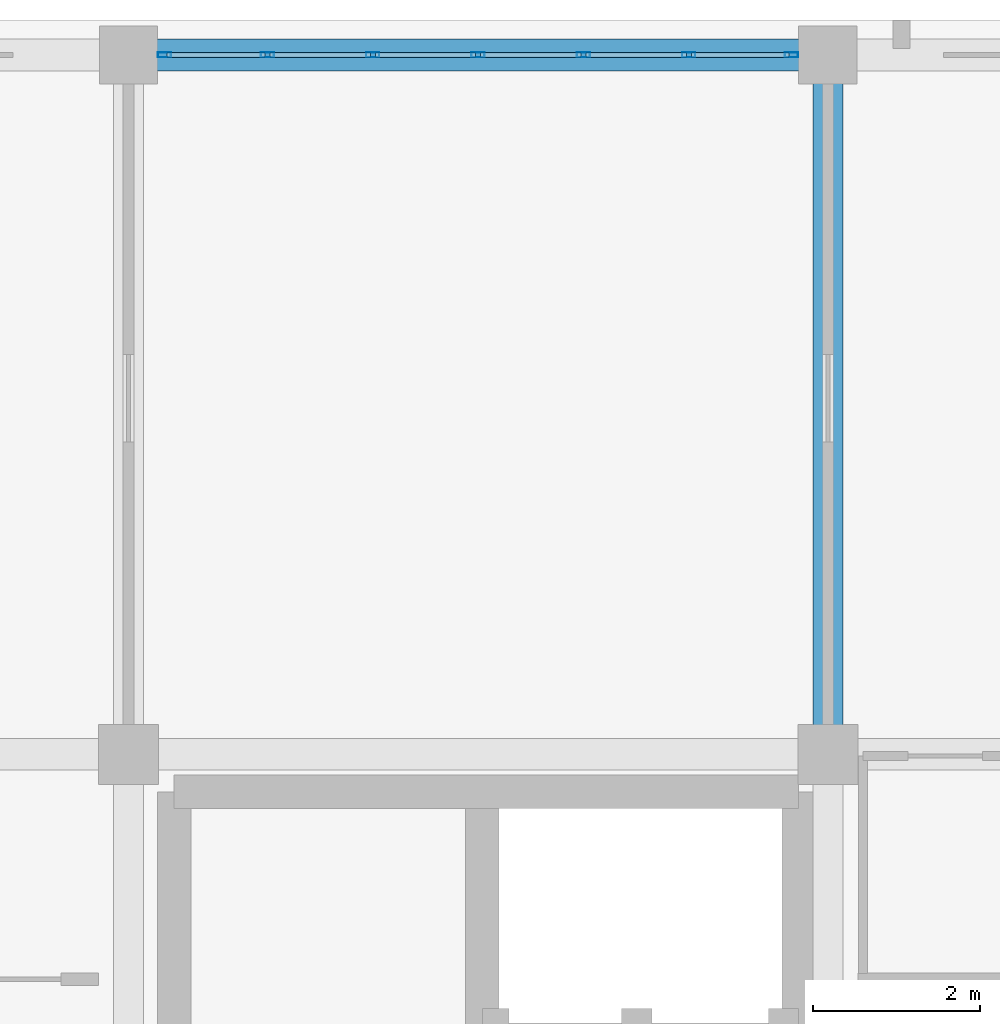
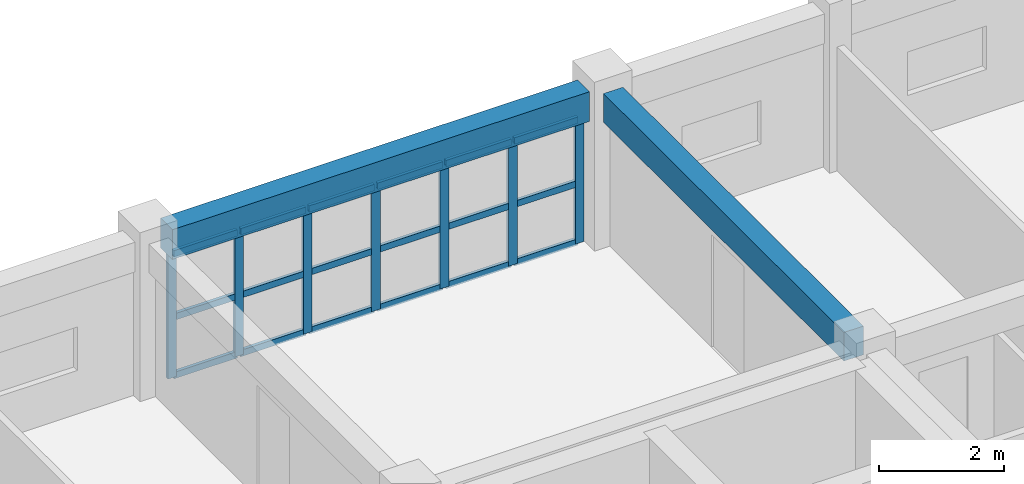
# One storey, part 59 of 148: 25 members, 2 beams, 1 element without a shape of its own.
"""IFC4 building model written with IfcOpenShell, lengths in metres."""

from ifc_helpers import new_model, si_unit, direction, frame, origin, origin_2d, place, context, subcontext, project, spatial, rectangle, hollow_rectangle, extrude, material, layer, layer_set, material_profile, profile_set, type_object, element, aggregate, save


model = new_model("IFC4")

# Units and contexts
model_context = context("Model", 3, precision=1e-05, world=origin(), true_north=direction((0.0, 1.0)))
body_context = subcontext(model_context, "Body", "Model", "MODEL_VIEW")
ifc_project = project(units=[si_unit("LENGTHUNIT", "METRE"), si_unit("AREAUNIT", "SQUARE_METRE"), si_unit("VOLUMEUNIT", "CUBIC_METRE"), si_unit("PLANEANGLEUNIT", "RADIAN"), si_unit("MASSUNIT", "GRAM", prefix="KILO")], contexts=[model_context])

# Site, building, storey
site_placement = place(None, origin())
site = spatial("IfcSite", under=ifc_project, at=site_placement, CompositionType="ELEMENT")
building_placement = place(site_placement, origin())
building = spatial("IfcBuilding", under=site, at=building_placement, Name="Trelvath General Hospital", CompositionType="ELEMENT")
storey_placement = place(building_placement, frame((0.0, 0.0, 12.89990234375)))
storey = spatial("IfcBuildingStorey", under=building, at=storey_placement, Name="L03", CompositionType="ELEMENT", Elevation=12.89990234375)

# Beams
ifc_material_1 = material(Name="Concrete C35/45", Category="concrete")
ifc_material_profile_1 = material_profile(ifc_material_1, rectangle(XDim=0.360107421875, YDim=0.56005859375, at=origin_2d()), Name="RCB360x560")
ifc_profile_set_1 = profile_set([ifc_material_profile_1], Name="Concrete C35/45")
beam_type_1 = type_object("IfcBeamType", Name="Beam RC360x560", PredefinedType="BEAM", material=ifc_profile_set_1)
beam_1_placement = place(storey_placement, frame((50.39990234375, 109.554931640625, 2.739990234375), z_axis=(0.0, 1.0, 0.0), x_axis=(-1.0, 0.0, 0.0)))
element("IfcBeam", 1, at=beam_1_placement, inside=storey, type_object=beam_type_1, Name="Grid Beam BY-306N", PredefinedType="BEAM", context=body_context, shape_type="SweptSolid", body=[
    extrude(rectangle(XDim=0.360107421875, YDim=0.56005859375, at=origin_2d()), origin(), (0.0, 0.0, 1.0), 7.699951171875),
])
ifc_material_2 = material(Name="Concrete C35/45", Category="concrete")
ifc_material_profile_2 = material_profile(ifc_material_2, rectangle(XDim=0.3798828125, YDim=0.580078125, at=origin_2d()), Name="RCB380x580")
ifc_profile_set_2 = profile_set([ifc_material_profile_2], Name="Concrete C35/45")
beam_type_2 = type_object("IfcBeamType", Name="Beam RC380x580", PredefinedType="BEAM", material=ifc_profile_set_2)
beam_2_placement = place(storey_placement, frame((42.344970703125, 117.60009765625, 2.72998046875), z_axis=(1.0, 0.0, 0.0), x_axis=(0.0, 1.0, 0.0)))
element("IfcBeam", 2, at=beam_2_placement, inside=storey, type_object=beam_type_2, Name="Grid Beam BX-305O", PredefinedType="BEAM", context=body_context, shape_type="SweptSolid", body=[
    extrude(rectangle(XDim=0.3798828125, YDim=0.580078125, at=origin_2d()), origin(), (0.0, 0.0, 1.0), 7.7099609375),
])

# Curtain wall, members
ifc_material_3 = material(Name="Anodised aluminium and low-E glass", Category="aluminium")
ifc_layer = layer(ifc_material_3, 0.159912109375)
ifc_layer_set = layer_set([ifc_layer], Name="Anodised aluminium and low-E glass")
curtain_wall_type = type_object("IfcCurtainWallType", Name="CW Facade 759 244 16", PredefinedType="USERDEFINED", material=ifc_layer_set)
curtain_wall_placement = place(storey_placement, origin())
curtain_wall = element("IfcCurtainWall", 3, at=curtain_wall_placement, inside=storey, type_object=curtain_wall_type, Name="Facade Curtain Wall CW-057", ObjectType="Unitised Glazed Curtain Wall", PredefinedType="USERDEFINED")
ifc_material_4 = material(Name="Anodised aluminium", Category="aluminium")
ifc_material_profile_3 = material_profile(ifc_material_4, hollow_rectangle(XDim=0.06005859375, YDim=0.159912109375, WallThickness=0.00390625, at=origin_2d()), Name="RHS60x160x4")
ifc_profile_set_3 = profile_set([ifc_material_profile_3], Name="Anodised aluminium")
member_type_1 = type_object("IfcMemberType", Name="CurtainMullion 60x160", PredefinedType="MULLION", material=ifc_profile_set_3)
member_1_placement = place(storey_placement, frame((42.43505859375, 117.60009765625, 0.0), z_axis=(0.0, 0.0, 1.0), x_axis=(0.0, 1.0, 0.0)))
member_1 = element("IfcMember", 4, at=member_1_placement, type_object=member_type_1, Name="CW-057 mullion 1", PredefinedType="MULLION", context=body_context, shape_type="SweptSolid", body=[
    extrude(hollow_rectangle(XDim=0.06005859375, YDim=0.159912109375, WallThickness=0.00390625, at=origin_2d()), origin(), (0.0, 0.0, 1.0), 2.440185546875),
])
member_2_placement = place(storey_placement, frame((43.669921875, 117.60009765625, 0.0), z_axis=(0.0, 0.0, 1.0), x_axis=(0.0, 1.0, 0.0)))
member_2 = element("IfcMember", 5, at=member_2_placement, type_object=member_type_1, Name="CW-057 mullion 2", PredefinedType="MULLION", context=body_context, shape_type="SweptSolid", body=[
    extrude(hollow_rectangle(XDim=0.06005859375, YDim=0.159912109375, WallThickness=0.00390625, at=origin_2d()), origin(), (0.0, 0.0, 1.0), 2.440185546875),
])
member_3_placement = place(storey_placement, frame((44.93505859375, 117.60009765625, 0.0), z_axis=(0.0, 0.0, 1.0), x_axis=(0.0, 1.0, 0.0)))
member_3 = element("IfcMember", 6, at=member_3_placement, type_object=member_type_1, Name="CW-057 mullion 3", PredefinedType="MULLION", context=body_context, shape_type="SweptSolid", body=[
    extrude(hollow_rectangle(XDim=0.06005859375, YDim=0.159912109375, WallThickness=0.00390625, at=origin_2d()), origin(), (0.0, 0.0, 1.0), 2.440185546875),
])
member_4_placement = place(storey_placement, frame((46.199951171875, 117.60009765625, 0.0), z_axis=(0.0, 0.0, 1.0), x_axis=(0.0, 1.0, 0.0)))
member_4 = element("IfcMember", 7, at=member_4_placement, type_object=member_type_1, Name="CW-057 mullion 4", PredefinedType="MULLION", context=body_context, shape_type="SweptSolid", body=[
    extrude(hollow_rectangle(XDim=0.06005859375, YDim=0.159912109375, WallThickness=0.00390625, at=origin_2d()), origin(), (0.0, 0.0, 1.0), 2.440185546875),
])
member_5_placement = place(storey_placement, frame((47.465087890625, 117.60009765625, 0.0), z_axis=(0.0, 0.0, 1.0), x_axis=(0.0, 1.0, 0.0)))
member_5 = element("IfcMember", 8, at=member_5_placement, type_object=member_type_1, Name="CW-057 mullion 5", PredefinedType="MULLION", context=body_context, shape_type="SweptSolid", body=[
    extrude(hollow_rectangle(XDim=0.06005859375, YDim=0.159912109375, WallThickness=0.00390625, at=origin_2d()), origin(), (0.0, 0.0, 1.0), 2.440185546875),
])
member_6_placement = place(storey_placement, frame((48.72998046875, 117.60009765625, 0.0), z_axis=(0.0, 0.0, 1.0), x_axis=(0.0, 1.0, 0.0)))
member_6 = element("IfcMember", 9, at=member_6_placement, type_object=member_type_1, Name="CW-057 mullion 6", PredefinedType="MULLION", context=body_context, shape_type="SweptSolid", body=[
    extrude(hollow_rectangle(XDim=0.06005859375, YDim=0.159912109375, WallThickness=0.00390625, at=origin_2d()), origin(), (0.0, 0.0, 1.0), 2.440185546875),
])
member_7_placement = place(storey_placement, frame((49.965087890625, 117.60009765625, 0.0), z_axis=(0.0, 0.0, 1.0), x_axis=(0.0, 1.0, 0.0)))
member_7 = element("IfcMember", 10, at=member_7_placement, type_object=member_type_1, Name="CW-057 mullion 7", PredefinedType="MULLION", context=body_context, shape_type="SweptSolid", body=[
    extrude(hollow_rectangle(XDim=0.06005859375, YDim=0.159912109375, WallThickness=0.00390625, at=origin_2d()), origin(), (0.0, 0.0, 1.0), 2.440185546875),
])
ifc_material_5 = material(Name="Anodised aluminium", Category="aluminium")
ifc_material_profile_4 = material_profile(ifc_material_5, hollow_rectangle(XDim=0.06005859375, YDim=0.125, WallThickness=0.00390625, at=origin_2d()), Name="RHS60x125x4")
ifc_profile_set_4 = profile_set([ifc_material_profile_4], Name="Anodised aluminium")
member_type_2 = type_object("IfcMemberType", Name="CurtainTransom 60x125", PredefinedType="USERDEFINED", material=ifc_profile_set_4)
member_8_placement = place(storey_placement, frame((42.465087890625, 117.60009765625, 0.030029296875), z_axis=(1.0, 0.0, 0.0), x_axis=(0.0, 1.0, 0.0)))
member_8 = element("IfcMember", 11, at=member_8_placement, type_object=member_type_2, Name="CW-057 transom 1.1", ObjectType="TRANSOM", PredefinedType="USERDEFINED", context=body_context, shape_type="SweptSolid", body=[
    extrude(hollow_rectangle(XDim=0.06005859375, YDim=0.125, WallThickness=0.00390625, at=origin_2d()), origin(), (0.0, 0.0, 1.0), 1.1748046875),
])
member_9_placement = place(storey_placement, frame((42.465087890625, 117.60009765625, 1.171142578125), z_axis=(1.0, 0.0, 0.0), x_axis=(0.0, 1.0, 0.0)))
member_9 = element("IfcMember", 12, at=member_9_placement, type_object=member_type_2, Name="CW-057 transom 1.2", ObjectType="TRANSOM", PredefinedType="USERDEFINED", context=body_context, shape_type="SweptSolid", body=[
    extrude(hollow_rectangle(XDim=0.06005859375, YDim=0.125, WallThickness=0.00390625, at=origin_2d()), origin(), (0.0, 0.0, 1.0), 1.1748046875),
])
member_10_placement = place(storey_placement, frame((42.465087890625, 117.60009765625, 2.41015625), z_axis=(1.0, 0.0, 0.0), x_axis=(0.0, 1.0, 0.0)))
member_10 = element("IfcMember", 13, at=member_10_placement, type_object=member_type_2, Name="CW-057 transom 1.3", ObjectType="TRANSOM", PredefinedType="USERDEFINED", context=body_context, shape_type="SweptSolid", body=[
    extrude(hollow_rectangle(XDim=0.06005859375, YDim=0.125, WallThickness=0.00390625, at=origin_2d()), origin(), (0.0, 0.0, 1.0), 1.1748046875),
])
member_11_placement = place(storey_placement, frame((43.699951171875, 117.60009765625, 0.030029296875), z_axis=(1.0, 0.0, 0.0), x_axis=(0.0, 1.0, 0.0)))
member_11 = element("IfcMember", 14, at=member_11_placement, type_object=member_type_2, Name="CW-057 transom 2.1", ObjectType="TRANSOM", PredefinedType="USERDEFINED", context=body_context, shape_type="SweptSolid", body=[
    extrude(hollow_rectangle(XDim=0.06005859375, YDim=0.125, WallThickness=0.00390625, at=origin_2d()), origin(), (0.0, 0.0, 1.0), 1.205078125),
])
member_12_placement = place(storey_placement, frame((43.699951171875, 117.60009765625, 1.171142578125), z_axis=(1.0, 0.0, 0.0), x_axis=(0.0, 1.0, 0.0)))
member_12 = element("IfcMember", 15, at=member_12_placement, type_object=member_type_2, Name="CW-057 transom 2.2", ObjectType="TRANSOM", PredefinedType="USERDEFINED", context=body_context, shape_type="SweptSolid", body=[
    extrude(hollow_rectangle(XDim=0.06005859375, YDim=0.125, WallThickness=0.00390625, at=origin_2d()), origin(), (0.0, 0.0, 1.0), 1.205078125),
])
member_13_placement = place(storey_placement, frame((43.699951171875, 117.60009765625, 2.41015625), z_axis=(1.0, 0.0, 0.0), x_axis=(0.0, 1.0, 0.0)))
member_13 = element("IfcMember", 16, at=member_13_placement, type_object=member_type_2, Name="CW-057 transom 2.3", ObjectType="TRANSOM", PredefinedType="USERDEFINED", context=body_context, shape_type="SweptSolid", body=[
    extrude(hollow_rectangle(XDim=0.06005859375, YDim=0.125, WallThickness=0.00390625, at=origin_2d()), origin(), (0.0, 0.0, 1.0), 1.205078125),
])
member_14_placement = place(storey_placement, frame((44.965087890625, 117.60009765625, 0.030029296875), z_axis=(1.0, 0.0, 0.0), x_axis=(0.0, 1.0, 0.0)))
member_14 = element("IfcMember", 17, at=member_14_placement, type_object=member_type_2, Name="CW-057 transom 3.1", ObjectType="TRANSOM", PredefinedType="USERDEFINED", context=body_context, shape_type="SweptSolid", body=[
    extrude(hollow_rectangle(XDim=0.06005859375, YDim=0.125, WallThickness=0.00390625, at=origin_2d()), origin(), (0.0, 0.0, 1.0), 1.204833984375),
])
member_15_placement = place(storey_placement, frame((44.965087890625, 117.60009765625, 1.171142578125), z_axis=(1.0, 0.0, 0.0), x_axis=(0.0, 1.0, 0.0)))
member_15 = element("IfcMember", 18, at=member_15_placement, type_object=member_type_2, Name="CW-057 transom 3.2", ObjectType="TRANSOM", PredefinedType="USERDEFINED", context=body_context, shape_type="SweptSolid", body=[
    extrude(hollow_rectangle(XDim=0.06005859375, YDim=0.125, WallThickness=0.00390625, at=origin_2d()), origin(), (0.0, 0.0, 1.0), 1.204833984375),
])
member_16_placement = place(storey_placement, frame((44.965087890625, 117.60009765625, 2.41015625), z_axis=(1.0, 0.0, 0.0), x_axis=(0.0, 1.0, 0.0)))
member_16 = element("IfcMember", 19, at=member_16_placement, type_object=member_type_2, Name="CW-057 transom 3.3", ObjectType="TRANSOM", PredefinedType="USERDEFINED", context=body_context, shape_type="SweptSolid", body=[
    extrude(hollow_rectangle(XDim=0.06005859375, YDim=0.125, WallThickness=0.00390625, at=origin_2d()), origin(), (0.0, 0.0, 1.0), 1.204833984375),
])
member_17_placement = place(storey_placement, frame((46.22998046875, 117.60009765625, 0.030029296875), z_axis=(1.0, 0.0, 0.0), x_axis=(0.0, 1.0, 0.0)))
member_17 = element("IfcMember", 20, at=member_17_placement, type_object=member_type_2, Name="CW-057 transom 4.1", ObjectType="TRANSOM", PredefinedType="USERDEFINED", context=body_context, shape_type="SweptSolid", body=[
    extrude(hollow_rectangle(XDim=0.06005859375, YDim=0.125, WallThickness=0.00390625, at=origin_2d()), origin(), (0.0, 0.0, 1.0), 1.205078125),
])
member_18_placement = place(storey_placement, frame((46.22998046875, 117.60009765625, 1.171142578125), z_axis=(1.0, 0.0, 0.0), x_axis=(0.0, 1.0, 0.0)))
member_18 = element("IfcMember", 21, at=member_18_placement, type_object=member_type_2, Name="CW-057 transom 4.2", ObjectType="TRANSOM", PredefinedType="USERDEFINED", context=body_context, shape_type="SweptSolid", body=[
    extrude(hollow_rectangle(XDim=0.06005859375, YDim=0.125, WallThickness=0.00390625, at=origin_2d()), origin(), (0.0, 0.0, 1.0), 1.205078125),
])
member_19_placement = place(storey_placement, frame((46.22998046875, 117.60009765625, 2.41015625), z_axis=(1.0, 0.0, 0.0), x_axis=(0.0, 1.0, 0.0)))
member_19 = element("IfcMember", 22, at=member_19_placement, type_object=member_type_2, Name="CW-057 transom 4.3", ObjectType="TRANSOM", PredefinedType="USERDEFINED", context=body_context, shape_type="SweptSolid", body=[
    extrude(hollow_rectangle(XDim=0.06005859375, YDim=0.125, WallThickness=0.00390625, at=origin_2d()), origin(), (0.0, 0.0, 1.0), 1.205078125),
])
member_20_placement = place(storey_placement, frame((47.4951171875, 117.60009765625, 0.030029296875), z_axis=(1.0, 0.0, 0.0), x_axis=(0.0, 1.0, 0.0)))
member_20 = element("IfcMember", 23, at=member_20_placement, type_object=member_type_2, Name="CW-057 transom 5.1", ObjectType="TRANSOM", PredefinedType="USERDEFINED", context=body_context, shape_type="SweptSolid", body=[
    extrude(hollow_rectangle(XDim=0.06005859375, YDim=0.125, WallThickness=0.00390625, at=origin_2d()), origin(), (0.0, 0.0, 1.0), 1.204833984375),
])
member_21_placement = place(storey_placement, frame((47.4951171875, 117.60009765625, 1.171142578125), z_axis=(1.0, 0.0, 0.0), x_axis=(0.0, 1.0, 0.0)))
member_21 = element("IfcMember", 24, at=member_21_placement, type_object=member_type_2, Name="CW-057 transom 5.2", ObjectType="TRANSOM", PredefinedType="USERDEFINED", context=body_context, shape_type="SweptSolid", body=[
    extrude(hollow_rectangle(XDim=0.06005859375, YDim=0.125, WallThickness=0.00390625, at=origin_2d()), origin(), (0.0, 0.0, 1.0), 1.204833984375),
])
member_22_placement = place(storey_placement, frame((47.4951171875, 117.60009765625, 2.41015625), z_axis=(1.0, 0.0, 0.0), x_axis=(0.0, 1.0, 0.0)))
member_22 = element("IfcMember", 25, at=member_22_placement, type_object=member_type_2, Name="CW-057 transom 5.3", ObjectType="TRANSOM", PredefinedType="USERDEFINED", context=body_context, shape_type="SweptSolid", body=[
    extrude(hollow_rectangle(XDim=0.06005859375, YDim=0.125, WallThickness=0.00390625, at=origin_2d()), origin(), (0.0, 0.0, 1.0), 1.204833984375),
])
member_23_placement = place(storey_placement, frame((48.760009765625, 117.60009765625, 0.030029296875), z_axis=(1.0, 0.0, 0.0), x_axis=(0.0, 1.0, 0.0)))
member_23 = element("IfcMember", 26, at=member_23_placement, type_object=member_type_2, Name="CW-057 transom 6.1", ObjectType="TRANSOM", PredefinedType="USERDEFINED", context=body_context, shape_type="SweptSolid", body=[
    extrude(hollow_rectangle(XDim=0.06005859375, YDim=0.125, WallThickness=0.00390625, at=origin_2d()), origin(), (0.0, 0.0, 1.0), 1.175048828125),
])
member_24_placement = place(storey_placement, frame((48.760009765625, 117.60009765625, 1.171142578125), z_axis=(1.0, 0.0, 0.0), x_axis=(0.0, 1.0, 0.0)))
member_24 = element("IfcMember", 27, at=member_24_placement, type_object=member_type_2, Name="CW-057 transom 6.2", ObjectType="TRANSOM", PredefinedType="USERDEFINED", context=body_context, shape_type="SweptSolid", body=[
    extrude(hollow_rectangle(XDim=0.06005859375, YDim=0.125, WallThickness=0.00390625, at=origin_2d()), origin(), (0.0, 0.0, 1.0), 1.175048828125),
])
member_25_placement = place(storey_placement, frame((48.760009765625, 117.60009765625, 2.41015625), z_axis=(1.0, 0.0, 0.0), x_axis=(0.0, 1.0, 0.0)))
member_25 = element("IfcMember", 28, at=member_25_placement, type_object=member_type_2, Name="CW-057 transom 6.3", ObjectType="TRANSOM", PredefinedType="USERDEFINED", context=body_context, shape_type="SweptSolid", body=[
    extrude(hollow_rectangle(XDim=0.06005859375, YDim=0.125, WallThickness=0.00390625, at=origin_2d()), origin(), (0.0, 0.0, 1.0), 1.175048828125),
])
aggregate(curtain_wall, [member_1, member_2, member_3, member_4, member_5, member_6, member_7, member_8, member_9, member_10, member_11, member_12, member_13, member_14, member_15, member_16, member_17, member_18, member_19, member_20, member_21, member_22, member_23, member_24, member_25])

save(model, "model.ifc")
